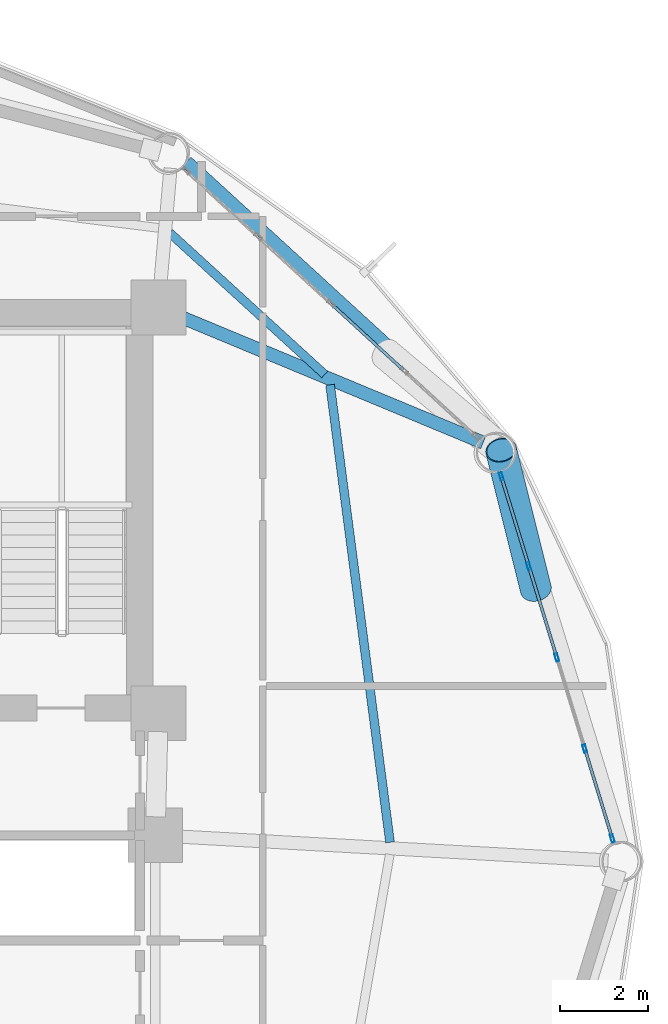
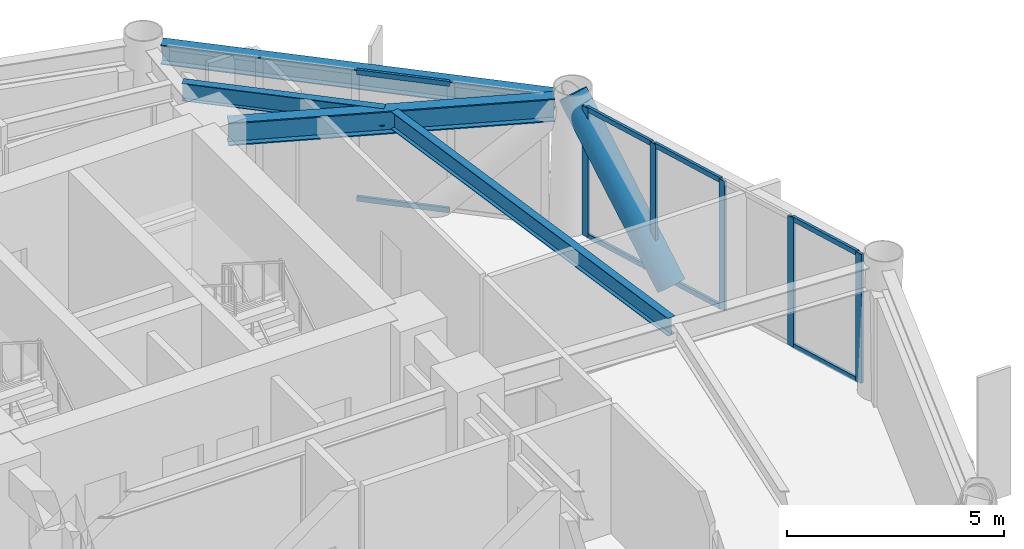
# One storey, part 16 of 25: 14 members, 4 beams, 2 elements without a shape of their own.
"""IFC4 building model written with IfcOpenShell, lengths in metres."""

from ifc_helpers import new_model, si_unit, direction, frame, origin, origin_2d, place, context, subcontext, project, spatial, hollow_rectangle, hollow_circle, i_section, extrude, material, layer, layer_set, material_profile, profile_set, type_object, element, aggregate, save


model = new_model("IFC4")

# Units and contexts
model_context = context("Model", 3, precision=1e-05, world=origin(), true_north=direction((0.0, 1.0)))
body_context = subcontext(model_context, "Body", "Model", "MODEL_VIEW")
ifc_project = project(units=[si_unit("LENGTHUNIT", "METRE"), si_unit("AREAUNIT", "SQUARE_METRE"), si_unit("VOLUMEUNIT", "CUBIC_METRE"), si_unit("PLANEANGLEUNIT", "RADIAN"), si_unit("MASSUNIT", "GRAM", prefix="KILO")], contexts=[model_context])

# Site, building, storey
site_placement = place(None, origin())
site = spatial("IfcSite", under=ifc_project, at=site_placement, CompositionType="ELEMENT")
building_placement = place(site_placement, origin())
building = spatial("IfcBuilding", under=site, at=building_placement, Name="Varnakorn Sky Granary", CompositionType="ELEMENT")
storey_placement = place(building_placement, frame((0.0, 0.0, 35.39990234375)))
storey = spatial("IfcBuildingStorey", under=building, at=storey_placement, Name="L08", CompositionType="ELEMENT", Elevation=35.39990234375)

# Beams
ifc_material_1 = material(Name="Steel S355JR", Category="steel")
ifc_material_profile_1 = material_profile(ifc_material_1, i_section(OverallWidth=0.300048828125, OverallDepth=0.64990234375, WebThickness=0.01611328125, FlangeThickness=0.031005859375, at=origin_2d()), Name="HE 650 B")
ifc_profile_set_1 = profile_set([ifc_material_profile_1], Name="Steel S355JR")
beam_type_1 = type_object("IfcBeamType", Name="BM-RAD-Z1", PredefinedType="BEAM", material=ifc_profile_set_1)
beam_1_placement = place(storey_placement, frame((8.807861328125, 12.458740234375, 3.315185546875), z_axis=(0.923395235787, -0.383850541911, 0.0), x_axis=(0.383850541911, 0.923395235787, 0.0)))
element("IfcBeam", 1, at=beam_1_placement, inside=storey, type_object=beam_type_1, Name="Radial Floor Girder RG02 L08", PredefinedType="BEAM", context=body_context, shape_type="SweptSolid", body=[
    extrude(i_section(OverallWidth=0.300048828125, OverallDepth=0.64990234375, WebThickness=0.01611328125, FlangeThickness=0.031005859375, at=origin_2d()), origin(), (0.0, 0.0, 1.0), 7.59423828125),
])
ifc_material_profile_2 = material_profile(ifc_material_1, i_section(OverallWidth=0.199951171875, OverallDepth=0.5, WebThickness=0.01025390625, FlangeThickness=0.01611328125, at=origin_2d()), Name="IPE 500")
ifc_profile_set_2 = profile_set([ifc_material_profile_2], Name="Steel S355JR")
beam_type_2 = type_object("IfcBeamType", Name="BM-SEC-Z1", PredefinedType="BEAM", material=ifc_profile_set_2)
beam_2_placement = place(storey_placement, frame((13.69873046875, 0.439453125, 3.39013671875), z_axis=(-0.129989495269, 0.991515371096, 0.0), x_axis=(-0.991515371096, -0.129989495269, 0.0)))
element("IfcBeam", 2, at=beam_2_placement, inside=storey, type_object=beam_type_2, Name="Secondary Floor Chord Beam MSB01 L08", PredefinedType="BEAM", context=body_context, shape_type="SweptSolid", body=[
    extrude(i_section(OverallWidth=0.199951171875, OverallDepth=0.5, WebThickness=0.01025390625, FlangeThickness=0.01611328125, at=origin_2d()), origin(), (0.0, 0.0, 1.0), 10.511962890625),
])
beam_3_placement = place(storey_placement, frame((12.210693359375, 11.095703125, 3.39013671875), z_axis=(-0.738117408446, 0.674672284409, 0.0), x_axis=(-0.674672284409, -0.738117408446, 0.0)))
element("IfcBeam", 3, at=beam_3_placement, inside=storey, type_object=beam_type_2, Name="Secondary Floor Chord Beam MSB02 L08", PredefinedType="BEAM", context=body_context, shape_type="SweptSolid", body=[
    extrude(i_section(OverallWidth=0.199951171875, OverallDepth=0.5, WebThickness=0.01025390625, FlangeThickness=0.01611328125, at=origin_2d()), origin(), (0.0, 0.0, 1.0), 4.783203125),
])
ifc_material_profile_3 = material_profile(ifc_material_1, i_section(OverallWidth=0.300048828125, OverallDepth=0.550048828125, WebThickness=0.014892578125, FlangeThickness=0.029052734375, at=origin_2d()), Name="HE 550 B")
ifc_profile_set_3 = profile_set([ifc_material_profile_3], Name="Steel S355JR")
beam_type_3 = type_object("IfcBeamType", Name="BM-SPD-Z1", PredefinedType="SPANDREL", material=ifc_profile_set_3)
beam_4_placement = place(storey_placement, frame((15.90234375, 9.672607421875, 3.364990234375), z_axis=(-0.737455592026, 0.675395624645, 0.0), x_axis=(-0.675395624645, -0.737455592026, 0.0)))
element("IfcBeam", 4, at=beam_4_placement, inside=storey, type_object=beam_type_3, Name="Perimeter Spandrel Ring Beam RB02 L08", PredefinedType="SPANDREL", context=body_context, shape_type="SweptSolid", body=[
    extrude(i_section(OverallWidth=0.300048828125, OverallDepth=0.550048828125, WebThickness=0.014892578125, FlangeThickness=0.029052734375, at=origin_2d()), origin(), (0.0, 0.0, 1.0), 9.2763671875),
])

# Curtain wall, members
ifc_material_2 = material(Name="Anodised Bronze Aluminium Alloy 6063-T6", Category="aluminium")
ifc_layer = layer(ifc_material_2, 0.18994140625, Name="Anodised Bronze Aluminium Alloy 6063-T6")
ifc_layer_set = layer_set([ifc_layer], Name="Anodised Bronze Aluminium Alloy 6063-T6")
curtain_wall_type = type_object("IfcCurtainWallType", Name="CW-FRM-1", PredefinedType="USERDEFINED", material=ifc_layer_set)
curtain_wall_1_placement = place(storey_placement, origin())
curtain_wall_1 = element("IfcCurtainWall", 5, at=curtain_wall_1_placement, inside=storey, type_object=curtain_wall_type, Name="Unitised Curtain Wall CW3 CW-L08-B01", ObjectType="CURTAIN WALL", PredefinedType="USERDEFINED")
ifc_material_profile_4 = material_profile(ifc_material_2, hollow_rectangle(XDim=0.070068359375, YDim=0.18505859375, WallThickness=0.00390625, at=origin_2d()), Name="ALU MULL 70x185")
ifc_profile_set_4 = profile_set([ifc_material_profile_4], Name="Anodised Bronze Aluminium Alloy 6063-T6")
member_type_1 = type_object("IfcMemberType", Name="CW-FRM-1-MULL", PredefinedType="MULLION", material=ifc_profile_set_4)
member_1_placement = place(storey_placement, frame((16.232666015625, 8.775146484375, 0.0), z_axis=(0.0, 0.0, 1.0), x_axis=(0.956046128489, 0.293216302756, 0.0)))
member_1 = element("IfcMember", 6, at=member_1_placement, type_object=member_type_1, Name="CW3 mullion 1", PredefinedType="MULLION", context=body_context, shape_type="SweptSolid", body=[
    extrude(hollow_rectangle(XDim=0.070068359375, YDim=0.18505859375, WallThickness=0.00390625, at=origin_2d()), origin(), (0.0, 0.0, 1.0), 3.64013671875),
])
member_2_placement = place(storey_placement, frame((16.85986328125, 6.72998046875, 0.0), z_axis=(0.0, 0.0, 1.0), x_axis=(0.956046128489, 0.293216302756, 0.0)))
member_2 = element("IfcMember", 7, at=member_2_placement, type_object=member_type_1, Name="CW3 mullion 2", PredefinedType="MULLION", context=body_context, shape_type="SweptSolid", body=[
    extrude(hollow_rectangle(XDim=0.070068359375, YDim=0.18505859375, WallThickness=0.00390625, at=origin_2d()), origin(), (0.0, 0.0, 1.0), 3.64013671875),
])
member_3_placement = place(storey_placement, frame((17.497314453125, 4.651611328125, 0.0), z_axis=(0.0, 0.0, 1.0), x_axis=(0.956046128489, 0.293216302756, 0.0)))
member_3 = element("IfcMember", 8, at=member_3_placement, type_object=member_type_1, Name="CW3 mullion 3", PredefinedType="MULLION", context=body_context, shape_type="SweptSolid", body=[
    extrude(hollow_rectangle(XDim=0.070068359375, YDim=0.18505859375, WallThickness=0.00390625, at=origin_2d()), origin(), (0.0, 0.0, 1.0), 3.64013671875),
])
member_4_placement = place(storey_placement, frame((18.135009765625, 2.572998046875, 0.0), z_axis=(0.0, 0.0, 1.0), x_axis=(0.956046128489, 0.293216302756, 0.0)))
member_4 = element("IfcMember", 9, at=member_4_placement, type_object=member_type_1, Name="CW3 mullion 4", PredefinedType="MULLION", context=body_context, shape_type="SweptSolid", body=[
    extrude(hollow_rectangle(XDim=0.070068359375, YDim=0.18505859375, WallThickness=0.00390625, at=origin_2d()), origin(), (0.0, 0.0, 1.0), 3.64013671875),
])
member_5_placement = place(storey_placement, frame((18.76220703125, 0.52783203125, 0.0), z_axis=(0.0, 0.0, 1.0), x_axis=(0.956046128489, 0.293216302756, 0.0)))
member_5 = element("IfcMember", 10, at=member_5_placement, type_object=member_type_1, Name="CW3 mullion 5", PredefinedType="MULLION", context=body_context, shape_type="SweptSolid", body=[
    extrude(hollow_rectangle(XDim=0.070068359375, YDim=0.18505859375, WallThickness=0.00390625, at=origin_2d()), origin(), (0.0, 0.0, 1.0), 3.64013671875),
])
ifc_material_profile_5 = material_profile(ifc_material_2, hollow_rectangle(XDim=0.070068359375, YDim=0.139892578125, WallThickness=0.00341796875, at=origin_2d()), Name="ALU TRAN 70x140")
ifc_profile_set_5 = profile_set([ifc_material_profile_5], Name="Anodised Bronze Aluminium Alloy 6063-T6")
member_type_2 = type_object("IfcMemberType", Name="CW-FRM-1-TRAN", PredefinedType="USERDEFINED", material=ifc_profile_set_5)
member_6_placement = place(storey_placement, frame((16.242919921875, 8.74169921875, 0.03515625), z_axis=(0.29323166172, -0.956041417808, 0.0), x_axis=(0.956041417808, 0.29323166172, 0.0)))
member_6 = element("IfcMember", 11, at=member_6_placement, type_object=member_type_2, Name="CW3 transom 1.1", ObjectType="TRANSOM", PredefinedType="USERDEFINED", context=body_context, shape_type="SweptSolid", body=[
    extrude(hollow_rectangle(XDim=0.070068359375, YDim=0.139892578125, WallThickness=0.00341796875, at=origin_2d()), origin(), (0.0, 0.0, 1.0), 2.069091796875),
])
member_7_placement = place(storey_placement, frame((16.242919921875, 8.74169921875, 3.60498046875), z_axis=(0.29323166172, -0.956041417808, 0.0), x_axis=(0.956041417808, 0.29323166172, 0.0)))
member_7 = element("IfcMember", 12, at=member_7_placement, type_object=member_type_2, Name="CW3 transom 1.2", ObjectType="TRANSOM", PredefinedType="USERDEFINED", context=body_context, shape_type="SweptSolid", body=[
    extrude(hollow_rectangle(XDim=0.070068359375, YDim=0.139892578125, WallThickness=0.00341796875, at=origin_2d()), origin(), (0.0, 0.0, 1.0), 2.069091796875),
])
member_8_placement = place(storey_placement, frame((16.8701171875, 6.696533203125, 0.03515625), z_axis=(0.293229554112, -0.956042064239, 0.0), x_axis=(0.956042064239, 0.293229554112, 0.0)))
member_8 = element("IfcMember", 13, at=member_8_placement, type_object=member_type_2, Name="CW3 transom 2.1", ObjectType="TRANSOM", PredefinedType="USERDEFINED", context=body_context, shape_type="SweptSolid", body=[
    extrude(hollow_rectangle(XDim=0.070068359375, YDim=0.139892578125, WallThickness=0.00341796875, at=origin_2d()), origin(), (0.0, 0.0, 1.0), 2.10400390625),
])
member_9_placement = place(storey_placement, frame((16.8701171875, 6.696533203125, 3.60498046875), z_axis=(0.293229554112, -0.956042064239, 0.0), x_axis=(0.956042064239, 0.293229554112, 0.0)))
member_9 = element("IfcMember", 14, at=member_9_placement, type_object=member_type_2, Name="CW3 transom 2.2", ObjectType="TRANSOM", PredefinedType="USERDEFINED", context=body_context, shape_type="SweptSolid", body=[
    extrude(hollow_rectangle(XDim=0.070068359375, YDim=0.139892578125, WallThickness=0.00341796875, at=origin_2d()), origin(), (0.0, 0.0, 1.0), 2.10400390625),
])
member_10_placement = place(storey_placement, frame((18.145263671875, 2.53955078125, 0.03515625), z_axis=(0.293198584778, -0.956051562356, 0.0), x_axis=(0.956051562356, 0.293198584778, 0.0)))
member_10 = element("IfcMember", 15, at=member_10_placement, type_object=member_type_2, Name="CW3 transom 4.1", ObjectType="TRANSOM", PredefinedType="USERDEFINED", context=body_context, shape_type="SweptSolid", body=[
    extrude(hollow_rectangle(XDim=0.070068359375, YDim=0.139892578125, WallThickness=0.00341796875, at=origin_2d()), origin(), (0.0, 0.0, 1.0), 2.069091796875),
])
member_11_placement = place(storey_placement, frame((18.145263671875, 2.53955078125, 3.60498046875), z_axis=(0.293198584778, -0.956051562356, 0.0), x_axis=(0.956051562356, 0.293198584778, 0.0)))
member_11 = element("IfcMember", 16, at=member_11_placement, type_object=member_type_2, Name="CW3 transom 4.2", ObjectType="TRANSOM", PredefinedType="USERDEFINED", context=body_context, shape_type="SweptSolid", body=[
    extrude(hollow_rectangle(XDim=0.070068359375, YDim=0.139892578125, WallThickness=0.00341796875, at=origin_2d()), origin(), (0.0, 0.0, 1.0), 2.069091796875),
])
aggregate(curtain_wall_1, [member_1, member_2, member_3, member_4, member_5, member_6, member_7, member_8, member_9, member_10, member_11])

curtain_wall_2_placement = place(storey_placement, origin())
curtain_wall_2 = element("IfcCurtainWall", 17, at=curtain_wall_2_placement, inside=storey, type_object=curtain_wall_type, Name="Unitised Curtain Wall CW3 CW-L08-B02", ObjectType="CURTAIN WALL", PredefinedType="USERDEFINED")
member_12_placement = place(storey_placement, frame((12.383544921875, 12.6845703125, 0.03515625), z_axis=(0.736982954511, -0.675911329066, 0.0), x_axis=(0.675911329066, 0.736982954511, 0.0)))
member_12 = element("IfcMember", 18, at=member_12_placement, type_object=member_type_2, Name="CW3 transom 3.1", ObjectType="TRANSOM", PredefinedType="USERDEFINED", context=body_context, shape_type="SweptSolid", body=[
    extrude(hollow_rectangle(XDim=0.070068359375, YDim=0.139892578125, WallThickness=0.00341796875, at=origin_2d()), origin(), (0.0, 0.0, 1.0), 2.190673828125),
])
member_13_placement = place(storey_placement, frame((12.383544921875, 12.6845703125, 3.60498046875), z_axis=(0.736982954511, -0.675911329066, 0.0), x_axis=(0.675911329066, 0.736982954511, 0.0)))
member_13 = element("IfcMember", 19, at=member_13_placement, type_object=member_type_2, Name="CW3 transom 3.2", ObjectType="TRANSOM", PredefinedType="USERDEFINED", context=body_context, shape_type="SweptSolid", body=[
    extrude(hollow_rectangle(XDim=0.070068359375, YDim=0.139892578125, WallThickness=0.00341796875, at=origin_2d()), origin(), (0.0, 0.0, 1.0), 2.190673828125),
])
aggregate(curtain_wall_2, [member_12, member_13])

# Member
ifc_material_3 = material(Name="Steel S460M", Category="steel")
ifc_material_profile_6 = material_profile(ifc_material_3, hollow_circle(Radius=0.35546875, WallThickness=0.02490234375, at=origin_2d()), Name="CHS 711x25")
ifc_profile_set_6 = profile_set([ifc_material_profile_6], Name="Steel S460M")
member_type_3 = type_object("IfcMemberType", Name="MB-DIAG-T0", PredefinedType="BRACE", material=ifc_profile_set_6)
member_14_placement = place(storey_placement, frame((17.02197265625, 6.201904296875, -0.1298828125), z_axis=(-0.158993905916, 0.63563317525, 0.755441198508), x_axis=(-0.970111748275, -0.242658599392, 0.0)))
element("IfcMember", 20, at=member_14_placement, inside=storey, type_object=member_type_3, Name="Perimeter CHS Diagrid Brace DG01 L08", PredefinedType="BRACE", context=body_context, shape_type="SweptSolid", body=[
    extrude(hollow_circle(Radius=0.35546875, WallThickness=0.02490234375, at=origin_2d()), origin(), (0.0, 0.0, 1.0), 4.990478515625),
])

save(model, "model.ifc")
